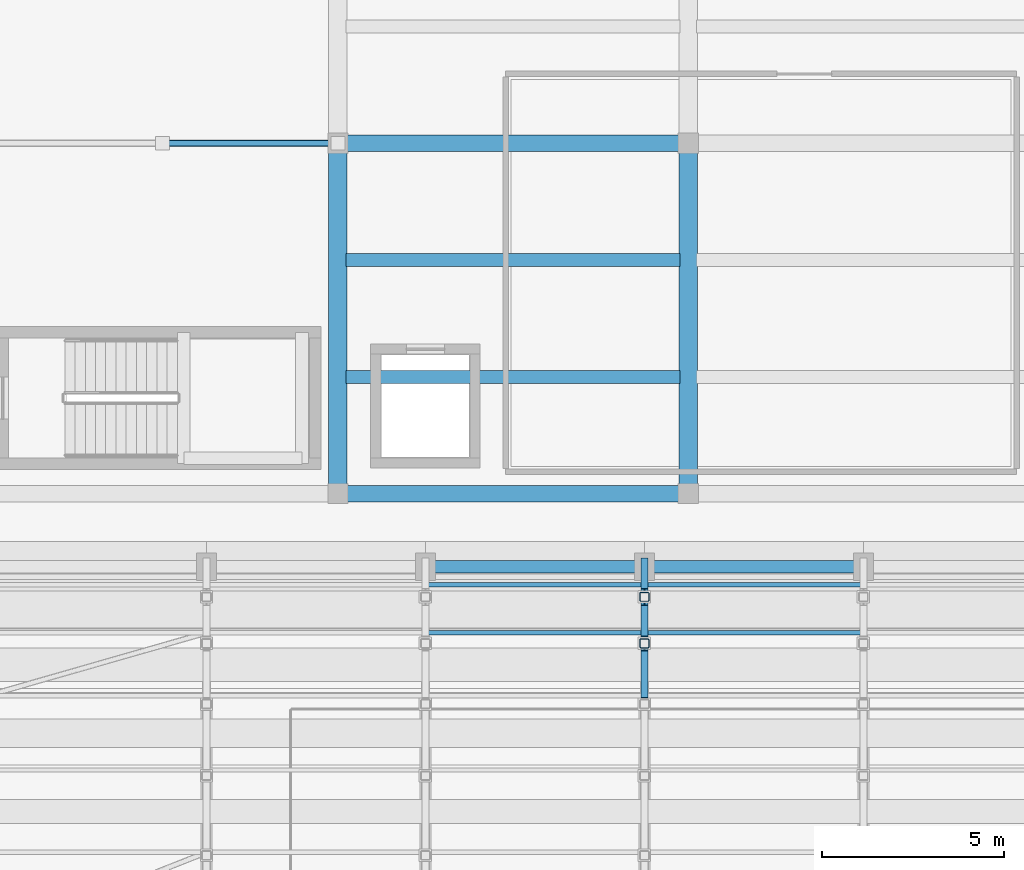
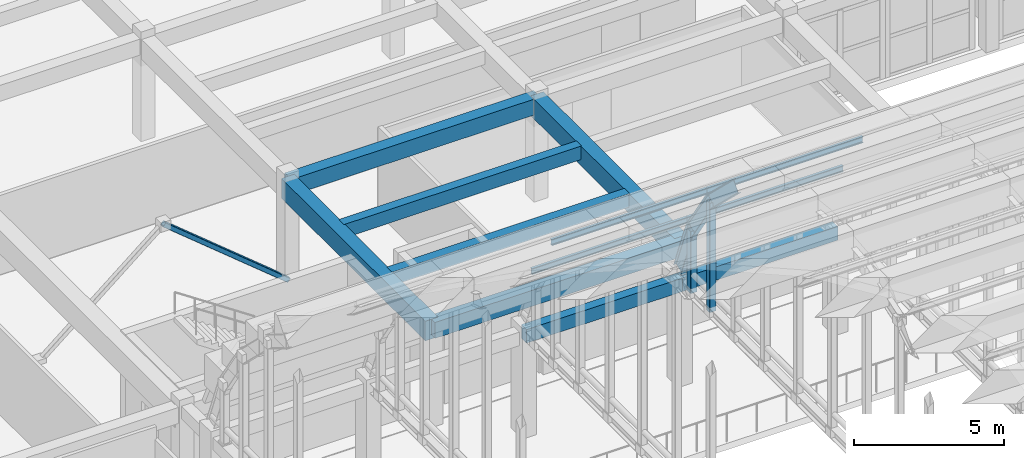
# One storey, part 17 of 91: 11 beams, 7 members.
"""IFC4 building model written with IfcOpenShell, lengths in metres."""

import ifcopenshell
import ifcopenshell.guid

model = None  # the IFC model being written
_history = None  # IfcOwnerHistory: only IFC2X3 demands one
_inside = {}  # id of a spatial element -> (the spatial element, [elements in it])
_under = {}  # id of a project, library or spatial element -> (it, [spatial elements below it])
_declared = {}  # id of a project -> (the project, [libraries it declares])
_typed = {}  # id of a type object -> (the type object, [elements of that type])
_made_of = {}  # id of a material, layer set ... -> (it, [elements and type objects made of it])


def new_model(schema):
    """Start an empty IFC model of exactly this schema.

    Asked for "IFC4X3", IfcOpenShell would pick the latest addendum, in which some entities
    have other attributes; the version numbers below select the first issue.
    IFC2X3 requires an IfcOwnerHistory on every rooted entity: one is made here for all.
    """
    global model, _history
    if schema == "IFC4X3":
        model = ifcopenshell.file(schema_version=(4, 3, 0, 0))
    else:
        model = ifcopenshell.file(schema=schema)
    _inside.clear()
    _under.clear()
    _declared.clear()
    _typed.clear()
    _made_of.clear()
    _history = None
    if model.schema == "IFC2X3":
        org = make("IfcOrganization", Name="unknown")
        user = make(
            "IfcPersonAndOrganization",
            ThePerson=make("IfcPerson", FamilyName="unknown"),
            TheOrganization=org,
        )
        app = make(
            "IfcApplication",
            ApplicationDeveloper=org,
            Version="unknown",
            ApplicationFullName="unknown",
            ApplicationIdentifier="unknown",
        )
        _history = make(
            "IfcOwnerHistory",
            OwningUser=user,
            OwningApplication=app,
            ChangeAction="ADDED",
            CreationDate=0,
        )
    return model


def make(cls, **values):
    """One entity of the class cls with the attributes given. An attribute that is None is left unset."""
    return model.create_entity(
        cls, **{name: value for name, value in values.items() if value is not None}
    )


def rooted(cls, **values):
    """An entity with a GlobalId (a new one), such as an element, a storey or a relation."""
    return make(cls, GlobalId=ifcopenshell.guid.new(), OwnerHistory=_history, **values)


def si_unit(unit_type, name, prefix=None):
    """IfcSIUnit, for example si_unit("LENGTHUNIT", "METRE", prefix="MILLI")."""
    return make("IfcSIUnit", UnitType=unit_type, Prefix=prefix, Name=name)


def assignment(units):
    """IfcUnitAssignment: the units of a project."""
    return None if units is None else make("IfcUnitAssignment", Units=units)


def point(xyz):
    """IfcCartesianPoint."""
    return None if xyz is None else make("IfcCartesianPoint", Coordinates=xyz)


def direction(xyz):
    """IfcDirection."""
    return None if xyz is None else make("IfcDirection", DirectionRatios=xyz)


def frame(location, z_axis=None, x_axis=None):
    """IfcAxis2Placement3D, a coordinate frame: its origin and axes. An axis left out is left unset."""
    return make(
        "IfcAxis2Placement3D",
        Location=point(location),
        Axis=direction(z_axis),
        RefDirection=direction(x_axis),
    )


def frame_2d(location, x_axis=None):
    """IfcAxis2Placement2D, a coordinate frame in the plane: its origin and x axis."""
    return make(
        "IfcAxis2Placement2D", Location=point(location), RefDirection=direction(x_axis)
    )


def origin():
    """The frame at (0, 0, 0) with its axes left unset."""
    return frame((0.0, 0.0, 0.0))


def origin_2d():
    """The frame at (0, 0) in the plane with its x axis left unset."""
    return frame_2d((0.0, 0.0))


def place(relative_to, where):
    """IfcLocalPlacement: puts the frame where relative to a parent placement (None: the world)."""
    return make(
        "IfcLocalPlacement", PlacementRelTo=relative_to, RelativePlacement=where
    )


def context(
    kind, dimensions, precision=None, world=None, true_north=None, identifier=None
):
    """IfcGeometricRepresentationContext, for example the 3D "Model" context."""
    return make(
        "IfcGeometricRepresentationContext",
        ContextIdentifier=identifier,
        ContextType=kind,
        CoordinateSpaceDimension=dimensions,
        Precision=precision,
        WorldCoordinateSystem=world,
        TrueNorth=true_north,
    )


def subcontext(parent, identifier, kind, view, scale=None):
    """IfcGeometricRepresentationSubContext, for example "Body" below "Model"."""
    return make(
        "IfcGeometricRepresentationSubContext",
        ContextIdentifier=identifier,
        ContextType=kind,
        ParentContext=parent,
        TargetScale=scale,
        TargetView=view,
    )


def project(units=None, contexts=None):
    """IfcProject with its units and contexts."""
    return rooted(
        "IfcProject",
        Name="project",
        RepresentationContexts=contexts,
        UnitsInContext=assignment(units),
    )


def spatial(cls, under=None, at=None, **own):
    """A site, building, storey or space (cls), placed at a placement, below another one or the project."""
    s = rooted(cls, ObjectPlacement=at, **own)
    if under is not None:
        _under.setdefault(under.id(), (under, []))[1].append(s)
    return s


def profile(cls, at=None, kind="AREA", **sizes):
    """A parametric profile (cls). Its sizes go by their IFC names, for example OverallWidth=200.0."""
    return make(cls, ProfileType=kind, Position=at, **sizes)


def rectangle(**sizes):
    """IfcRectangleProfileDef."""
    return profile("IfcRectangleProfileDef", **sizes)


def hollow_rectangle(**sizes):
    """IfcRectangleHollowProfileDef."""
    return profile("IfcRectangleHollowProfileDef", **sizes)


def i_section(**sizes):
    """IfcIShapeProfileDef."""
    return profile("IfcIShapeProfileDef", **sizes)


def extrude(swept, where, along, depth):
    """IfcExtrudedAreaSolid: the profile swept, set in the frame where, extruded along a direction by depth."""
    return make(
        "IfcExtrudedAreaSolid",
        SweptArea=swept,
        Position=where,
        ExtrudedDirection=direction(along),
        Depth=depth,
    )


def shape(context_of_items, identifier, shape_type, items):
    """IfcShapeRepresentation: the items that make up one representation, for example the "Body"."""
    return make(
        "IfcShapeRepresentation",
        ContextOfItems=context_of_items,
        RepresentationIdentifier=identifier,
        RepresentationType=shape_type,
        Items=items,
    )


def material(Name=None, Category=None):
    """IfcMaterial."""
    return make("IfcMaterial", Name=Name, Category=Category)


def material_profile(
    of_material, cross_section, Name=None, Category=None, Priority=None
):
    """IfcMaterialProfile: a cross section and its material."""
    return make(
        "IfcMaterialProfile",
        Name=Name,
        Material=of_material,
        Profile=cross_section,
        Priority=Priority,
        Category=Category,
    )


def profile_set(profiles, Name=None, composite=None):
    """IfcMaterialProfileSet."""
    return make(
        "IfcMaterialProfileSet",
        Name=Name,
        MaterialProfiles=profiles,
        CompositeProfile=composite,
    )


def made_of(thing, what):
    """Note that an element or type object is made of a material, layer set ...; save() writes the relation."""
    if what is not None:
        _made_of.setdefault(what.id(), (what, []))[1].append(thing)
    return thing


def type_object(cls, material=None, **own):
    """A type object (cls), such as IfcWallType, which elements share."""
    return made_of(rooted(cls, **own), material)


def element(
    cls,
    number,
    at=None,
    inside=None,
    cuts=None,
    type_object=None,
    material=None,
    context=None,
    identifier="Body",
    shape_type=None,
    held_by="IfcProductDefinitionShape",
    body=None,
    shapes=None,
    **own,
):
    """One element of the class cls, such as IfcWall. Its Tag is "e" and its number.

    at: its placement. inside: the storey or other place that contains it. cuts: it is an
    opening in that element (IfcRelVoidsElement). A single representation is given by context,
    identifier, shape_type and body (its items); several are given by shapes. held_by: the class
    of the entity that holds the representations. save() writes the other relations.
    """
    e = rooted(cls, Tag="e%d" % number, ObjectPlacement=at, **own)
    if body is not None:
        shapes = [shape(context, identifier, shape_type, body)]
    if shapes is not None:
        e.Representation = make(held_by, Representations=shapes)
    if inside is not None:
        _inside.setdefault(inside.id(), (inside, []))[1].append(e)
    if cuts is not None:
        rooted(
            "IfcRelVoidsElement", RelatingBuildingElement=cuts, RelatedOpeningElement=e
        )
    if type_object is not None:
        _typed.setdefault(type_object.id(), (type_object, []))[1].append(e)
    return made_of(e, material)


def aggregate(whole, parts):
    """IfcRelAggregates: a whole, such as a stair, and the parts it consists of."""
    return rooted("IfcRelAggregates", RelatingObject=whole, RelatedObjects=parts)


def save(model, path):
    """Write the relations noted so far, then the file.

    IfcRelAggregates (storeys below a building ...), IfcRelContainedInSpatialStructure (elements
    in a storey), IfcRelDefinesByType, IfcRelAssociatesMaterial and IfcRelDeclares: one each for
    every whole, place, type object, material and project.
    """
    for whole, parts in _under.values():
        aggregate(whole, parts)
    for where, things in _inside.values():
        rooted(
            "IfcRelContainedInSpatialStructure",
            RelatedElements=things,
            RelatingStructure=where,
        )
    for kind, things in _typed.values():
        rooted("IfcRelDefinesByType", RelatedObjects=things, RelatingType=kind)
    for what, things in _made_of.values():
        rooted("IfcRelAssociatesMaterial", RelatedObjects=things, RelatingMaterial=what)
    for by, libraries in _declared.values():
        rooted("IfcRelDeclares", RelatingContext=by, RelatedDefinitions=libraries)
    model.write(path)


model = new_model("IFC4")

# Units and contexts
model_context = context("Model", 3, precision=1e-05, world=origin(), true_north=direction((0.0, 1.0)))
body_context = subcontext(model_context, "Body", "Model", "MODEL_VIEW")
ifc_project = project(units=[si_unit("LENGTHUNIT", "METRE"), si_unit("AREAUNIT", "SQUARE_METRE"), si_unit("VOLUMEUNIT", "CUBIC_METRE"), si_unit("PLANEANGLEUNIT", "RADIAN"), si_unit("MASSUNIT", "GRAM", prefix="KILO")], contexts=[model_context])

# Site, building, storey
site_placement = place(None, origin())
site = spatial("IfcSite", under=ifc_project, at=site_placement, CompositionType="ELEMENT")
building_placement = place(site_placement, origin())
building = spatial("IfcBuilding", under=site, at=building_placement, Name="Tarnavel Promenade Courthouse", CompositionType="ELEMENT")
storey_placement = place(building_placement, frame((0.0, 0.0, 9.89990234375)))
storey = spatial("IfcBuildingStorey", under=building, at=storey_placement, Name="L03", CompositionType="ELEMENT", Elevation=9.89990234375)

# Beams
ifc_material_1 = material(Name="Concrete C40/50", Category="concrete")
ifc_material_profile_1 = material_profile(ifc_material_1, rectangle(XDim=0.35009765625, YDim=0.550048828125, at=origin_2d()), Name="PT 350x550")
ifc_profile_set_1 = profile_set([ifc_material_profile_1], Name="Concrete C40/50")
beam_type_1 = type_object("IfcBeamType", Name="Concrete C40/50 BM-PT-350x550 (PT 350x550)", PredefinedType="JOIST", material=ifc_profile_set_1)
for number, where, z_axis, x_axis, name in (
    (1, (19.419921875, 40.39990234375, 3.920166015625), (1.0, 0.0, 0.0), (0.0, 1.0, 0.0), "L03 Secondary Floor Rib 1831"),
    (2, (19.419921875, 43.60009765625, 3.920166015625), (1.0, 0.0, 0.0), (0.0, 1.0, 0.0), "L03 Secondary Floor Rib 1832"),
):
    element("IfcBeam", number, at=place(storey_placement, frame(where, z_axis=z_axis, x_axis=x_axis)), inside=storey, type_object=beam_type_1, Name=name, PredefinedType="JOIST", context=body_context, shape_type="SweptSolid", body=[
        extrude(rectangle(XDim=0.35009765625, YDim=0.550048828125, at=origin_2d()), origin(), (0.0, 0.0, 1.0), 9.16015625),
    ])
ifc_material_profile_2 = material_profile(ifc_material_1, rectangle(XDim=0.5, YDim=0.800048828125, at=origin_2d()), Name="PT 500x800")
ifc_profile_set_2 = profile_set([ifc_material_profile_2], Name="Concrete C40/50")
beam_type_2 = type_object("IfcBeamType", Name="Concrete C40/50 BM-PT-500x800 (PT 500x800)", PredefinedType="T_BEAM", material=ifc_profile_set_2)
for number, where, z_axis, x_axis, name in (
    (3, (19.199951171875, 37.199951171875, 3.795166015625), (0.0, 1.0, 0.0), (-1.0, 0.0, 0.0), "L03 Transverse Girder 1709"),
    (4, (28.800048828125, 37.199951171875, 3.795166015625), (0.0, 1.0, 0.0), (-1.0, 0.0, 0.0), "L03 Transverse Girder 1716"),
):
    element("IfcBeam", number, at=place(storey_placement, frame(where, z_axis=z_axis, x_axis=x_axis)), inside=storey, type_object=beam_type_2, Name=name, PredefinedType="T_BEAM", context=body_context, shape_type="SweptSolid", body=[
        extrude(rectangle(XDim=0.5, YDim=0.800048828125, at=origin_2d()), origin(), (0.0, 0.0, 1.0), 9.60009765625),
    ])
ifc_material_profile_3 = material_profile(ifc_material_1, rectangle(XDim=0.35009765625, YDim=0.550048828125, at=origin_2d()), Name="RC 350x550")
ifc_profile_set_3 = profile_set([ifc_material_profile_3], Name="Concrete C40/50")
beam_type_3 = type_object("IfcBeamType", Name="Concrete C40/50 BM-RC-350x550 (RC 350x550)", PredefinedType="BEAM", material=ifc_profile_set_3)
for number, where, z_axis, x_axis, name in (
    (5, (21.60009765625, 35.199951171875, 3.97021484375), (1.0, 0.0, 0.0), (0.0, 1.0, 0.0), "L03 Primary Longitudinal Beam 1551"),
    (6, (27.60009765625, 35.199951171875, 3.97021484375), (1.0, 0.0, 0.0), (0.0, 1.0, 0.0), "L03 Primary Longitudinal Beam 1552"),
):
    element("IfcBeam", number, at=place(storey_placement, frame(where, z_axis=z_axis, x_axis=x_axis)), inside=storey, type_object=beam_type_3, Name=name, PredefinedType="BEAM", context=body_context, shape_type="SweptSolid", body=[
        extrude(rectangle(XDim=0.35009765625, YDim=0.550048828125, at=origin_2d()), origin(), (0.0, 0.0, 1.0), 6.0),
    ])
ifc_material_profile_4 = material_profile(ifc_material_1, rectangle(XDim=0.449951171875, YDim=0.64990234375, at=origin_2d()), Name="RC 450x650")
ifc_profile_set_4 = profile_set([ifc_material_profile_4], Name="Concrete C40/50")
beam_type_4 = type_object("IfcBeamType", Name="Concrete C40/50 BM-RC-450x650 (RC 450x650)", PredefinedType="T_BEAM", material=ifc_profile_set_4)
for number, where, z_axis, x_axis, name in (
    (7, (19.199951171875, 37.199951171875, 3.8701171875), (1.0, 0.0, 0.0), (0.0, 1.0, 0.0), "L03 Primary Longitudinal Beam 1558"),
    (8, (19.199951171875, 46.800048828125, 3.8701171875), (1.0, 0.0, 0.0), (0.0, 1.0, 0.0), "L03 Primary Longitudinal Beam 1567"),
):
    element("IfcBeam", number, at=place(storey_placement, frame(where, z_axis=z_axis, x_axis=x_axis)), inside=storey, type_object=beam_type_4, Name=name, PredefinedType="T_BEAM", context=body_context, shape_type="SweptSolid", body=[
        extrude(rectangle(XDim=0.449951171875, YDim=0.64990234375, at=origin_2d()), origin(), (0.0, 0.0, 1.0), 9.60009765625),
    ])
ifc_material_2 = material(Name="Steel S355J2", Category="steel")
ifc_material_profile_5 = material_profile(ifc_material_2, i_section(OverallWidth=0.199951171875, OverallDepth=0.5, WebThickness=0.01025390625, FlangeThickness=0.01611328125, FilletRadius=0.02099609375, at=origin_2d()), Name="IPE 500")
ifc_profile_set_5 = profile_set([ifc_material_profile_5], Name="Steel S355J2")
beam_type_5 = type_object("IfcBeamType", Name="Steel S355J2 BM-AR-IPE500 (IPE 500)", PredefinedType="T_BEAM", material=ifc_profile_set_5)
beam_placement = place(storey_placement, frame((27.60009765625, 31.435546875, 10.160400390625), z_axis=(0.0, 0.721173265551, -0.692754733693), x_axis=(-1.0, 0.0, 0.0)))
element("IfcBeam", 9, at=beam_placement, inside=storey, type_object=beam_type_5, Name="V4 Barrel Vault Arch Rib 04 Chord 10", PredefinedType="T_BEAM", context=body_context, shape_type="SweptSolid", body=[
    extrude(i_section(OverallWidth=0.199951171875, OverallDepth=0.5, WebThickness=0.01025390625, FlangeThickness=0.01611328125, FilletRadius=0.02099609375, at=origin_2d()), origin(), (0.0, 0.0, 1.0), 2.30224609375),
])
for number, where, z_axis, x_axis, name in (
    (10, (27.60009765625, 33.095947265625, 8.5654296875), (0.0, 0.553794535045, -0.832653357019), (-1.0, 0.0, 0.0), "V4 Barrel Vault Arch Rib 04 Chord 11"),
    (11, (27.60009765625, 34.37109375, 6.648193359375), (0.0, 0.359973594692, -0.93296249181), (-1.0, 0.0, 0.0), "V4 Barrel Vault Arch Rib 04 Chord 12"),
):
    element("IfcBeam", number, at=place(storey_placement, frame(where, z_axis=z_axis, x_axis=x_axis)), inside=storey, type_object=beam_type_5, Name=name, PredefinedType="T_BEAM", context=body_context, shape_type="SweptSolid", body=[
        extrude(i_section(OverallWidth=0.199951171875, OverallDepth=0.5, WebThickness=0.01025390625, FlangeThickness=0.01611328125, FilletRadius=0.02099609375, at=origin_2d()), origin(), (0.0, 0.0, 1.0), 2.302490234375),
    ])

# Members
ifc_material_profile_6 = material_profile(ifc_material_2, hollow_rectangle(XDim=0.179931640625, YDim=0.179931640625, WallThickness=0.010009765625, InnerFilletRadius=0.010009765625, OuterFilletRadius=0.02001953125, at=origin_2d()), Name="SHS 180x180x10")
ifc_profile_set_6 = profile_set([ifc_material_profile_6], Name="Steel S355J2")
member_type_1 = type_object("IfcMemberType", Name="Steel S355J2 MEM-BR-SHS180 (SHS 180x180x10)", PredefinedType="BRACE", material=ifc_profile_set_6)
member_1_placement = place(storey_placement, frame((19.199951171875, 46.800048828125, 0.0), z_axis=(-0.772554836083, 0.0, 0.634948049248), x_axis=(0.0, -1.0, 0.0)))
element("IfcMember", 12, at=member_1_placement, inside=storey, type_object=member_type_1, Name="L03 V3 Chevron Brace B 045", PredefinedType="BRACE", context=body_context, shape_type="SweptSolid", body=[
    extrude(hollow_rectangle(XDim=0.179931640625, YDim=0.179931640625, WallThickness=0.010009765625, InnerFilletRadius=0.010009765625, OuterFilletRadius=0.02001953125, at=origin_2d()), origin(), (0.0, 0.0, 1.0), 6.213134765625),
])
ifc_material_profile_7 = material_profile(ifc_material_2, i_section(OverallWidth=0.1201171875, OverallDepth=0.239990234375, WebThickness=0.006103515625, FlangeThickness=0.009765625, FilletRadius=0.014892578125, at=origin_2d()), Name="IPE 240")
ifc_profile_set_7 = profile_set([ifc_material_profile_7], Name="Steel S355J2")
member_type_2 = type_object("IfcMemberType", Name="Steel S355J2 MEM-PUR-IPE240 (IPE 240)", PredefinedType="PURLIN", material=ifc_profile_set_7)
for number, where, z_axis, x_axis, name in (
    (13, (21.60009765625, 33.3876953125, 8.80908203125), (1.0, 0.0, 0.0), (0.0, 1.0, 0.0), "V4 Barrel Vault Purlin 03-10"),
    (14, (21.60009765625, 34.708740234375, 6.822998046875), (1.0, 0.0, 0.0), (0.0, 1.0, 0.0), "V4 Barrel Vault Purlin 03-11"),
    (15, (27.60009765625, 33.3876953125, 8.80908203125), (1.0, 0.0, 0.0), (0.0, 1.0, 0.0), "V4 Barrel Vault Purlin 04-10"),
    (16, (27.60009765625, 34.708740234375, 6.822998046875), (1.0, 0.0, 0.0), (0.0, 1.0, 0.0), "V4 Barrel Vault Purlin 04-11"),
):
    element("IfcMember", number, at=place(storey_placement, frame(where, z_axis=z_axis, x_axis=x_axis)), inside=storey, type_object=member_type_2, Name=name, PredefinedType="PURLIN", context=body_context, shape_type="SweptSolid", body=[
        extrude(i_section(OverallWidth=0.1201171875, OverallDepth=0.239990234375, WebThickness=0.006103515625, FlangeThickness=0.009765625, FilletRadius=0.014892578125, at=origin_2d()), origin(), (0.0, 0.0, 1.0), 6.0),
    ])
ifc_material_profile_8 = material_profile(ifc_material_2, hollow_rectangle(XDim=0.25, YDim=0.25, WallThickness=0.012451171875, InnerFilletRadius=0.012451171875, OuterFilletRadius=0.02490234375, at=origin_2d()), Name="SHS 250x250x12.5")
ifc_profile_set_8 = profile_set([ifc_material_profile_8], Name="Steel S355J2")
member_type_3 = type_object("IfcMemberType", Name="Steel S355J2 MEM-STR-SHS250 (SHS 250x250x12.5)", PredefinedType="STRUT", material=ifc_profile_set_8)
member_2_placement = place(storey_placement, frame((27.60009765625, 33.095947265625, 4.1201171875), z_axis=(0.0, 0.0, 1.0), x_axis=(1.0, 0.0, 0.0)))
element("IfcMember", 17, at=member_2_placement, inside=storey, type_object=member_type_3, Name="V4 Vault Arch Web Strut 04-10", PredefinedType="STRUT", context=body_context, shape_type="SweptSolid", body=[
    extrude(hollow_rectangle(XDim=0.25, YDim=0.25, WallThickness=0.012451171875, InnerFilletRadius=0.012451171875, OuterFilletRadius=0.02490234375, at=origin_2d()), origin(), (0.0, 0.0, 1.0), 4.4453125),
])
member_3_placement = place(storey_placement, frame((27.60009765625, 34.37109375, 4.1201171875), z_axis=(0.0, 0.0, 1.0), x_axis=(1.0, 0.0, 0.0)))
element("IfcMember", 18, at=member_3_placement, inside=storey, type_object=member_type_3, Name="V4 Vault Arch Web Strut 04-11", PredefinedType="STRUT", context=body_context, shape_type="SweptSolid", body=[
    extrude(hollow_rectangle(XDim=0.25, YDim=0.25, WallThickness=0.012451171875, InnerFilletRadius=0.012451171875, OuterFilletRadius=0.02490234375, at=origin_2d()), origin(), (0.0, 0.0, 1.0), 2.528076171875),
])

save(model, "model.ifc")
